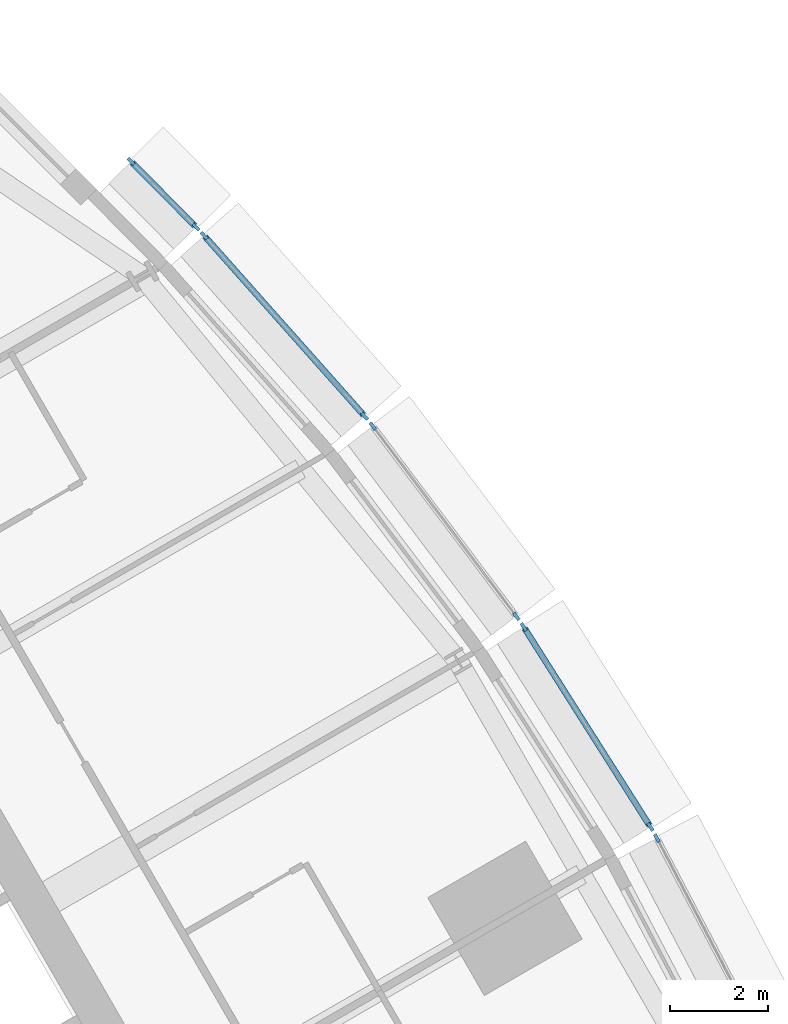
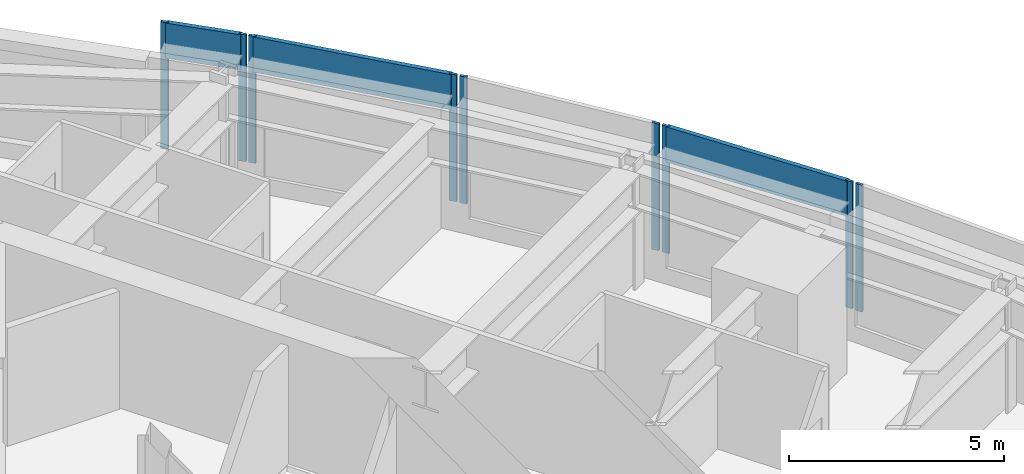
# One storey, part 6 of 15: 12 members, 5 elements without a shape of their own.
"""IFC4 building model written with IfcOpenShell, lengths in metres."""

from ifc_helpers import new_model, si_unit, direction, frame, origin, origin_2d, place, context, subcontext, project, spatial, rectangle, extrude, material, material_profile, profile_set, type_object, element, aggregate, save


model = new_model("IFC4")

# Units and contexts
model_context = context("Model", 3, precision=1e-05, world=origin(), true_north=direction((0.0, 1.0)))
body_context = subcontext(model_context, "Body", "Model", "MODEL_VIEW")
ifc_project = project(units=[si_unit("LENGTHUNIT", "METRE"), si_unit("AREAUNIT", "SQUARE_METRE"), si_unit("VOLUMEUNIT", "CUBIC_METRE"), si_unit("PLANEANGLEUNIT", "RADIAN"), si_unit("MASSUNIT", "GRAM", prefix="KILO")], contexts=[model_context])

# Site, building, storey
site_placement = place(None, origin())
site = spatial("IfcSite", under=ifc_project, at=site_placement, CompositionType="ELEMENT")
building_placement = place(site_placement, origin())
building = spatial("IfcBuilding", under=site, at=building_placement, Name="Trikona Tower", CompositionType="ELEMENT")
storey_placement = place(building_placement, frame((0.0, 0.0, 229.699951171875)))
storey = spatial("IfcBuildingStorey", under=building, at=storey_placement, Name="L61", CompositionType="ELEMENT", Elevation=229.699951171875)

# Curtain wall, member
ifc_material_1 = material(Name="Aluminium curtain wall system", Category="aluminium")
curtain_wall_type = type_object("IfcCurtainWallType", Name="Curtain wall DS3S", PredefinedType="NOTDEFINED", material=ifc_material_1)
curtain_wall_1_placement = place(storey_placement, origin())
curtain_wall_1 = element("IfcCurtainWall", 1, at=curtain_wall_1_placement, inside=storey, type_object=curtain_wall_type, Name="Curtain wall DS3S L61", PredefinedType="NOTDEFINED")
ifc_material_2 = material(Name="Aluminium mullion, pale anodised", Category="aluminium")
ifc_material_profile_1 = material_profile(ifc_material_2, rectangle(XDim=0.070068359375, YDim=0.179931640625, at=origin_2d()), Name="MUL-DS3S")
ifc_profile_set_1 = profile_set([ifc_material_profile_1], Name="Aluminium mullion, pale anodised")
member_type_1 = type_object("IfcMemberType", Name="Mullion DS3S 70x180", PredefinedType="MULLION", material=ifc_profile_set_1)
member_1_placement = place(storey_placement, frame((18.40234375, 10.472412109375, 0.0), z_axis=(0.0, 0.0, 1.0), x_axis=(-0.885862390527, -0.463948084434, 0.0)))
member_1 = element("IfcMember", 2, at=member_1_placement, type_object=member_type_1, Name="CW-DS3S mullion 2", PredefinedType="MULLION", context=body_context, shape_type="SweptSolid", body=[
    extrude(rectangle(XDim=0.070068359375, YDim=0.179931640625, at=origin_2d()), origin(), (0.0, 0.0, 1.0), 3.60009765625),
])
aggregate(curtain_wall_1, [member_1])

# Curtain wall, members
curtain_wall_2_placement = place(storey_placement, origin())
curtain_wall_2 = element("IfcCurtainWall", 3, at=curtain_wall_2_placement, inside=storey, type_object=curtain_wall_type, Name="Curtain wall DS3S L61", PredefinedType="NOTDEFINED")
member_2_placement = place(storey_placement, frame((18.2705078125, 10.700927734375, 0.0), z_axis=(0.0, 0.0, 1.0), x_axis=(-0.844727131858, -0.535197227854, 0.0)))
member_2 = element("IfcMember", 4, at=member_2_placement, type_object=member_type_1, Name="CW-DS3S mullion 1", PredefinedType="MULLION", context=body_context, shape_type="SweptSolid", body=[
    extrude(rectangle(XDim=0.070068359375, YDim=0.179931640625, at=origin_2d()), origin(), (0.0, 0.0, 1.0), 3.60009765625),
])
member_3_placement = place(storey_placement, frame((15.69384765625, 14.767578125, 0.0), z_axis=(0.0, 0.0, 1.0), x_axis=(-0.844727131858, -0.535197227854, 0.0)))
member_3 = element("IfcMember", 5, at=member_3_placement, type_object=member_type_1, Name="CW-DS3S mullion 2", PredefinedType="MULLION", context=body_context, shape_type="SweptSolid", body=[
    extrude(rectangle(XDim=0.070068359375, YDim=0.179931640625, at=origin_2d()), origin(), (0.0, 0.0, 1.0), 3.60009765625),
])

curtain_wall_3_placement = place(storey_placement, origin())
curtain_wall_3 = element("IfcCurtainWall", 6, at=curtain_wall_3_placement, inside=storey, type_object=curtain_wall_type, Name="Curtain wall DS3S L61", PredefinedType="NOTDEFINED")
member_4_placement = place(storey_placement, frame((15.5439453125, 14.984130859375, 0.0), z_axis=(0.0, 0.0, 1.0), x_axis=(-0.798193208724, -0.602401528506, 0.0)))
member_4 = element("IfcMember", 7, at=member_4_placement, type_object=member_type_1, Name="CW-DS3S mullion 1", PredefinedType="MULLION", context=body_context, shape_type="SweptSolid", body=[
    extrude(rectangle(XDim=0.070068359375, YDim=0.179931640625, at=origin_2d()), origin(), (0.0, 0.0, 1.0), 3.60009765625),
])
member_5_placement = place(storey_placement, frame((12.62353515625, 18.853759765625, 0.0), z_axis=(0.0, 0.0, 1.0), x_axis=(-0.798193208724, -0.602401528506, 0.0)))
member_5 = element("IfcMember", 8, at=member_5_placement, type_object=member_type_1, Name="CW-DS3S mullion 2", PredefinedType="MULLION", context=body_context, shape_type="SweptSolid", body=[
    extrude(rectangle(XDim=0.070068359375, YDim=0.179931640625, at=origin_2d()), origin(), (0.0, 0.0, 1.0), 3.60009765625),
])
aggregate(curtain_wall_3, [member_4, member_5])

curtain_wall_4_placement = place(storey_placement, origin())
curtain_wall_4 = element("IfcCurtainWall", 9, at=curtain_wall_4_placement, inside=storey, type_object=curtain_wall_type, Name="Curtain wall DS3S L61", PredefinedType="NOTDEFINED")
member_6_placement = place(storey_placement, frame((12.45751953125, 19.056396484375, 0.0), z_axis=(0.0, 0.0, 1.0), x_axis=(-0.747402677853, -0.664371309689, 0.0)))
member_6 = element("IfcMember", 10, at=member_6_placement, type_object=member_type_1, Name="CW-DS3S mullion 1", PredefinedType="MULLION", context=body_context, shape_type="SweptSolid", body=[
    extrude(rectangle(XDim=0.070068359375, YDim=0.179931640625, at=origin_2d()), origin(), (0.0, 0.0, 1.0), 3.60009765625),
])
member_7_placement = place(storey_placement, frame((9.192138671875, 22.729736328125, 0.0), z_axis=(0.0, 0.0, 1.0), x_axis=(-0.747402677853, -0.664371309689, 0.0)))
member_7 = element("IfcMember", 11, at=member_7_placement, type_object=member_type_1, Name="CW-DS3S mullion 2", PredefinedType="MULLION", context=body_context, shape_type="SweptSolid", body=[
    extrude(rectangle(XDim=0.070068359375, YDim=0.179931640625, at=origin_2d()), origin(), (0.0, 0.0, 1.0), 3.60009765625),
])

curtain_wall_5_placement = place(storey_placement, origin())
curtain_wall_5 = element("IfcCurtainWall", 12, at=curtain_wall_5_placement, inside=storey, type_object=curtain_wall_type, Name="Curtain wall DS3S L61", PredefinedType="NOTDEFINED")
member_8_placement = place(storey_placement, frame((9.028564453125, 22.904052734375, 0.0), z_axis=(0.0, 0.0, 1.0), x_axis=(-0.710051900554, -0.704149343903, 0.0)))
member_8 = element("IfcMember", 13, at=member_8_placement, type_object=member_type_1, Name="CW-DS3S mullion 1", PredefinedType="MULLION", context=body_context, shape_type="SweptSolid", body=[
    extrude(rectangle(XDim=0.070068359375, YDim=0.179931640625, at=origin_2d()), origin(), (0.0, 0.0, 1.0), 3.60009765625),
])
member_9_placement = place(storey_placement, frame((7.7060546875, 24.237548828125, 0.0), z_axis=(0.0, 0.0, 1.0), x_axis=(-0.710051900554, -0.704149343903, 0.0)))
member_9 = element("IfcMember", 14, at=member_9_placement, type_object=member_type_1, Name="CW-DS3S mullion 2", PredefinedType="MULLION", context=body_context, shape_type="SweptSolid", body=[
    extrude(rectangle(XDim=0.070068359375, YDim=0.179931640625, at=origin_2d()), origin(), (0.0, 0.0, 1.0), 3.60009765625),
])

# Member
ifc_material_3 = material(Name="Aluminium transom, pale anodised", Category="aluminium")
ifc_material_profile_2 = material_profile(ifc_material_3, rectangle(XDim=0.1201171875, YDim=1.0, at=origin_2d()), Name="TRN-DS3S")
ifc_profile_set_2 = profile_set([ifc_material_profile_2], Name="Aluminium transom, pale anodised")
member_type_2 = type_object("IfcMemberType", Name="Transom DS3S 1000x120", PredefinedType="USERDEFINED", material=ifc_profile_set_2)
member_10_placement = place(storey_placement, frame((18.251708984375, 10.73046875, 3.10009765625), z_axis=(-0.535192866729, 0.844729894938, 0.0), x_axis=(-0.844729894938, -0.535192866729, 0.0)))
member_10 = element("IfcMember", 15, at=member_10_placement, type_object=member_type_2, Name="CW-DS3S transom 1.1", ObjectType="TRANSOM", PredefinedType="USERDEFINED", context=body_context, shape_type="SweptSolid", body=[
    extrude(rectangle(XDim=0.1201171875, YDim=1.0, at=origin_2d()), origin(), (0.0, 0.0, 1.0), 4.744140625),
])

aggregate(curtain_wall_2, [member_2, member_3, member_10])

member_11_placement = place(storey_placement, frame((12.43408203125, 19.08251953125, 3.10009765625), z_axis=(-0.66436383883, 0.747409318684, 0.0), x_axis=(-0.747409318684, -0.66436383883, 0.0)))
member_11 = element("IfcMember", 16, at=member_11_placement, type_object=member_type_2, Name="CW-DS3S transom 1.1", ObjectType="TRANSOM", PredefinedType="USERDEFINED", context=body_context, shape_type="SweptSolid", body=[
    extrude(rectangle(XDim=0.1201171875, YDim=1.0, at=origin_2d()), origin(), (0.0, 0.0, 1.0), 4.844970703125),
])

aggregate(curtain_wall_4, [member_6, member_7, member_11])

member_12_placement = place(storey_placement, frame((9.00390625, 22.9287109375, 3.10009765625), z_axis=(-0.704130668076, 0.710070420645, 0.0), x_axis=(-0.710070420645, -0.704130668076, 0.0)))
member_12 = element("IfcMember", 17, at=member_12_placement, type_object=member_type_2, Name="CW-DS3S transom 1.1", ObjectType="TRANSOM", PredefinedType="USERDEFINED", context=body_context, shape_type="SweptSolid", body=[
    extrude(rectangle(XDim=0.1201171875, YDim=1.0, at=origin_2d()), origin(), (0.0, 0.0, 1.0), 1.80859375),
])

aggregate(curtain_wall_5, [member_8, member_9, member_12])

save(model, "model.ifc")
